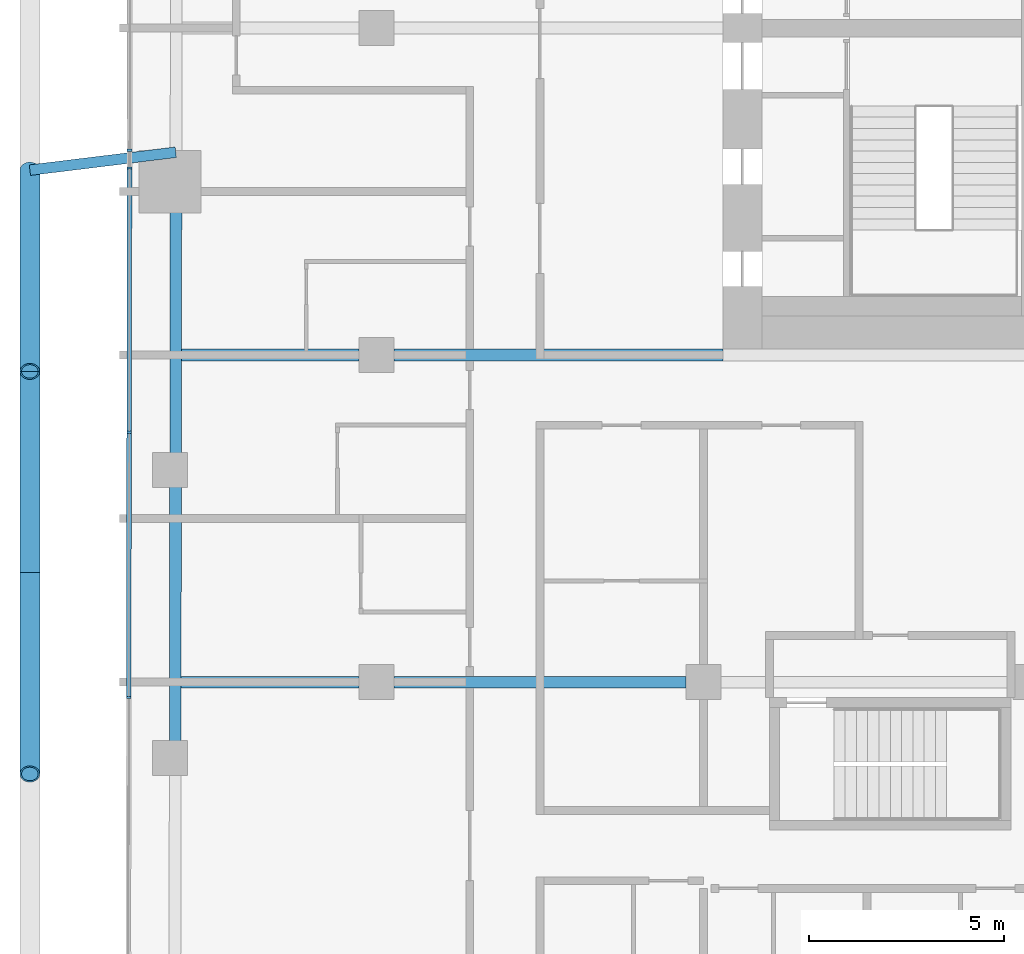
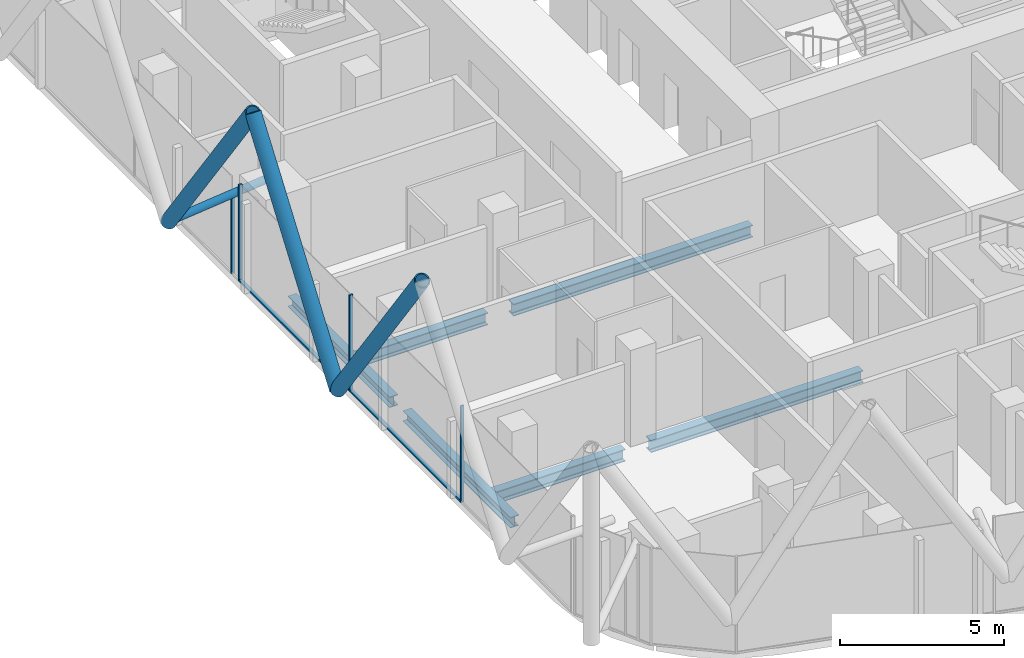
# One storey, part 4 of 36: 10 members, 6 beams, 2 elements without a shape of their own.
"""IFC4 building model written with IfcOpenShell, lengths in metres."""

from ifc_helpers import new_model, si_unit, direction, frame, origin, origin_2d, place, context, subcontext, project, spatial, rectangle, hollow_circle, i_section, extrude, material, layer, layer_set, material_profile, profile_set, type_object, element, aggregate, save


model = new_model("IFC4")

# Units and contexts
model_context = context("Model", 3, precision=1e-05, world=origin(), true_north=direction((0.0, 1.0)))
body_context = subcontext(model_context, "Body", "Model", "MODEL_VIEW")
ifc_project = project(units=[si_unit("LENGTHUNIT", "METRE"), si_unit("AREAUNIT", "SQUARE_METRE"), si_unit("VOLUMEUNIT", "CUBIC_METRE"), si_unit("PLANEANGLEUNIT", "RADIAN"), si_unit("MASSUNIT", "GRAM", prefix="KILO")], contexts=[model_context])

# Site, building, storey
site_placement = place(None, origin())
site = spatial("IfcSite", under=ifc_project, at=site_placement, CompositionType="ELEMENT")
building_placement = place(site_placement, origin())
building = spatial("IfcBuilding", under=site, at=building_placement, Name="Marenta Gate Hotel Tower", CompositionType="ELEMENT")
storey_placement = place(building_placement, frame((0.0, 0.0, 115.699951171875)))
storey = spatial("IfcBuildingStorey", under=building, at=storey_placement, Name="L25", CompositionType="ELEMENT", Elevation=115.699951171875)

# Members
ifc_material_1 = material(Name="Steel S355J2W", Category="steel")
ifc_material_profile_1 = material_profile(ifc_material_1, hollow_circle(Radius=0.25390625, WallThickness=0.0400390625, at=origin_2d()), Name="CHS 508x40")
ifc_profile_set_1 = profile_set([ifc_material_profile_1], Name="Steel S355J2W")
member_type_1 = type_object("IfcMemberType", Name="Diagrid diagonal Z2 CHS 508x40", PredefinedType="BRACE", material=ifc_profile_set_1)
for number, where, z_axis, x_axis, name in (
    (1, (-29.89990234375, -5.590087890625, 3.14013671875), (0.0, -0.583260841117, 0.812284919975), (1.0, 0.0, 0.0), "L25-DG-27"),
    (2, (-29.89990234375, -5.590087890625, 3.14013671875), (0.0, 0.583260841117, 0.812284919975), (-1.0, 0.0, 0.0), "L25-DG-28"),
):
    element("IfcMember", number, at=place(storey_placement, frame(where, z_axis=z_axis, x_axis=x_axis)), inside=storey, type_object=member_type_1, Name=name, PredefinedType="BRACE", context=body_context, shape_type="SweptSolid", body=[
        extrude(hollow_circle(Radius=0.25390625, WallThickness=0.0400390625, at=origin_2d()), origin(), (0.0, 0.0, 1.0), 8.86376953125),
    ])
member_1_placement = place(storey_placement, frame((-29.89990234375, 4.75, 3.14013671875), z_axis=(0.0, -0.583279014058, 0.812271870595), x_axis=(1.0, 0.0, 0.0)))
element("IfcMember", 3, at=member_1_placement, inside=storey, type_object=member_type_1, Name="L25-DG-29", PredefinedType="BRACE", context=body_context, shape_type="SweptSolid", body=[
    extrude(hollow_circle(Radius=0.25390625, WallThickness=0.0400390625, at=origin_2d()), origin(), (0.0, 0.0, 1.0), 8.864013671875),
])

# Beams
ifc_material_2 = material(Name="Steel S355", Category="steel")
ifc_material_profile_2 = material_profile(ifc_material_2, i_section(OverallWidth=0.300048828125, OverallDepth=0.39990234375, WebThickness=0.013427734375, FlangeThickness=0.02392578125, FilletRadius=0.027099609375, at=origin_2d()), Name="HEB 400")
ifc_profile_set_2 = profile_set([ifc_material_profile_2], Name="Steel S355")
beam_type_1 = type_object("IfcBeamType", Name="Edge beam HEB 400", PredefinedType="SPANDREL", material=ifc_profile_set_2)
beam_1_placement = place(storey_placement, frame((-26.167236328125, -9.94189453125, -0.4599609375), z_axis=(0.001372605919, 0.999999057976, 0.0), x_axis=(-0.999999057976, 0.001372605919, 0.0)))
element("IfcBeam", 4, at=beam_1_placement, inside=storey, type_object=beam_type_1, Name="L25-EB-6", PredefinedType="SPANDREL", context=body_context, shape_type="SweptSolid", body=[
    extrude(i_section(OverallWidth=0.300048828125, OverallDepth=0.39990234375, WebThickness=0.013427734375, FlangeThickness=0.02392578125, FilletRadius=0.027099609375, at=origin_2d()), origin(), (0.0, 0.0, 1.0), 6.5810546875),
])
beam_2_placement = place(storey_placement, frame((-26.156982421875, -2.541015625, -0.4599609375), z_axis=(0.001371364591, 0.999999059679, 0.0), x_axis=(-0.999999059679, 0.001371364591, 0.0)))
element("IfcBeam", 5, at=beam_2_placement, inside=storey, type_object=beam_type_1, Name="L25-EB-7", PredefinedType="SPANDREL", context=body_context, shape_type="SweptSolid", body=[
    extrude(i_section(OverallWidth=0.300048828125, OverallDepth=0.39990234375, WebThickness=0.013427734375, FlangeThickness=0.02392578125, FilletRadius=0.027099609375, at=origin_2d()), origin(), (0.0, 0.0, 1.0), 6.23095703125),
])

# Member
ifc_material_3 = material(Name="Steel S355J2W", Category="steel")
ifc_material_profile_3 = material_profile(ifc_material_3, hollow_circle(Radius=0.136474609375, WallThickness=0.012451171875, at=origin_2d()), Name="CHS 273x12.5")
ifc_profile_set_3 = profile_set([ifc_material_profile_3], Name="Steel S355J2W")
member_type_2 = type_object("IfcMemberType", Name="Floor tie CHS 273x12.5", PredefinedType="STRUT", material=ifc_profile_set_3)
member_2_placement = place(storey_placement, frame((-29.89990234375, 4.75, 3.14013671875), z_axis=(0.992572528932, 0.121654325075, 0.0), x_axis=(-0.121654325075, 0.992572528932, 0.0)))
element("IfcMember", 6, at=member_2_placement, inside=storey, type_object=member_type_2, Name="L25-DR-20", PredefinedType="STRUT", context=body_context, shape_type="SweptSolid", body=[
    extrude(hollow_circle(Radius=0.136474609375, WallThickness=0.012451171875, at=origin_2d()), origin(), (0.0, 0.0, 1.0), 3.77490234375),
])

# Beams
ifc_material_4 = material(Name="Steel S355", Category="steel")
ifc_material_profile_4 = material_profile(ifc_material_4, i_section(OverallWidth=0.300048828125, OverallDepth=0.449951171875, WebThickness=0.013916015625, FlangeThickness=0.02587890625, FilletRadius=0.027099609375, at=origin_2d()), Name="HEB 450")
ifc_profile_set_4 = profile_set([ifc_material_profile_4], Name="Steel S355")
beam_type_2 = type_object("IfcBeamType", Name="Girder HEB 450", PredefinedType="BEAM", material=ifc_profile_set_4)
beam_3_placement = place(storey_placement, frame((-26.01513671875, -8.39990234375, -0.48486328125), z_axis=(1.0, 0.0, 0.0), x_axis=(0.0, 1.0, 0.0)))
element("IfcBeam", 7, at=beam_3_placement, inside=storey, type_object=beam_type_2, Name="L25-GD-8", PredefinedType="BEAM", context=body_context, shape_type="SweptSolid", body=[
    extrude(i_section(OverallWidth=0.300048828125, OverallDepth=0.449951171875, WebThickness=0.013916015625, FlangeThickness=0.02587890625, FilletRadius=0.027099609375, at=origin_2d()), origin(), (0.0, 0.0, 1.0), 4.565185546875),
])
beam_4_placement = place(storey_placement, frame((-20.550048828125, -8.39990234375, -0.48486328125), z_axis=(1.0, 0.0, 0.0), x_axis=(0.0, 1.0, 0.0)))
element("IfcBeam", 8, at=beam_4_placement, inside=storey, type_object=beam_type_2, Name="L25-GD-9", PredefinedType="BEAM", context=body_context, shape_type="SweptSolid", body=[
    extrude(i_section(OverallWidth=0.300048828125, OverallDepth=0.449951171875, WebThickness=0.013916015625, FlangeThickness=0.02587890625, FilletRadius=0.027099609375, at=origin_2d()), origin(), (0.0, 0.0, 1.0), 7.5),
])
beam_5_placement = place(storey_placement, frame((-26.003662109375, 0.0, -0.48486328125), z_axis=(1.0, 0.0, 0.0), x_axis=(0.0, 1.0, 0.0)))
element("IfcBeam", 9, at=beam_5_placement, inside=storey, type_object=beam_type_2, Name="L25-GD-15", PredefinedType="BEAM", context=body_context, shape_type="SweptSolid", body=[
    extrude(i_section(OverallWidth=0.300048828125, OverallDepth=0.449951171875, WebThickness=0.013916015625, FlangeThickness=0.02587890625, FilletRadius=0.027099609375, at=origin_2d()), origin(), (0.0, 0.0, 1.0), 4.5537109375),
])
beam_6_placement = place(storey_placement, frame((-20.550048828125, 0.0, -0.48486328125), z_axis=(1.0, 0.0, 0.0), x_axis=(0.0, 1.0, 0.0)))
element("IfcBeam", 10, at=beam_6_placement, inside=storey, type_object=beam_type_2, Name="L25-GD-16", PredefinedType="BEAM", context=body_context, shape_type="SweptSolid", body=[
    extrude(i_section(OverallWidth=0.300048828125, OverallDepth=0.449951171875, WebThickness=0.013916015625, FlangeThickness=0.02587890625, FilletRadius=0.027099609375, at=origin_2d()), origin(), (0.0, 0.0, 1.0), 8.449951171875),
])

# Curtain wall, member
ifc_material_5 = material(Name="Tinted insulated glass in bronze anodised frame", Category="glass")
ifc_layer = layer(ifc_material_5, 0.1201171875)
ifc_layer_set = layer_set([ifc_layer], Name="Tinted insulated glass in bronze anodised frame")
curtain_wall_type = type_object("IfcCurtainWallType", Name="Tower unitised curtain wall CW1", PredefinedType="NOTDEFINED", material=ifc_layer_set)
curtain_wall_1_placement = place(storey_placement, origin())
curtain_wall_1 = element("IfcCurtainWall", 11, at=curtain_wall_1_placement, inside=storey, type_object=curtain_wall_type, Name="CW1 run G07", PredefinedType="NOTDEFINED")
ifc_material_6 = material(Name="Bronze anodised aluminium", Category="aluminium")
ifc_material_profile_5 = material_profile(ifc_material_6, rectangle(XDim=0.1201171875, YDim=0.06005859375, at=origin_2d()), Name="Mullion CW1 60x120 bronze anodised aluminium")
ifc_profile_set_5 = profile_set([ifc_material_profile_5], Name="Bronze anodised aluminium")
member_type_3 = type_object("IfcMemberType", Name="Mullion CW1 60x120 bronze anodised aluminium", PredefinedType="MULLION", material=ifc_profile_set_5)
member_3_placement = place(storey_placement, frame((-27.34033203125, 5.261962890625, 0.0), z_axis=(0.0, 0.0, 1.0), x_axis=(0.999998824335, -0.001533404542, 0.0)))
member_3 = element("IfcMember", 12, at=member_3_placement, type_object=member_type_3, Name="CW1 mullion 1", PredefinedType="MULLION", context=body_context, shape_type="SweptSolid", body=[
    extrude(rectangle(XDim=0.1201171875, YDim=0.06005859375, at=origin_2d()), origin(), (0.0, 0.0, 1.0), 3.00048828125),
])
aggregate(curtain_wall_1, [member_3])

# Curtain wall, members
curtain_wall_2_placement = place(storey_placement, origin())
curtain_wall_2 = element("IfcCurtainWall", 13, at=curtain_wall_2_placement, inside=storey, type_object=curtain_wall_type, Name="CW1 run G08", PredefinedType="NOTDEFINED")
member_4_placement = place(storey_placement, frame((-27.341064453125, 4.805419921875, 0.0), z_axis=(0.0, 0.0, 1.0), x_axis=(0.999998775571, -0.001564882094, 0.0)))
member_4 = element("IfcMember", 14, at=member_4_placement, type_object=member_type_3, Name="CW1 mullion 1", PredefinedType="MULLION", context=body_context, shape_type="SweptSolid", body=[
    extrude(rectangle(XDim=0.1201171875, YDim=0.06005859375, at=origin_2d()), origin(), (0.0, 0.0, 1.0), 3.60009765625),
])
member_5_placement = place(storey_placement, frame((-27.3515625, -1.98095703125, 0.0), z_axis=(0.0, 0.0, 1.0), x_axis=(0.999998775571, -0.001564882094, 0.0)))
member_5 = element("IfcMember", 15, at=member_5_placement, type_object=member_type_3, Name="CW1 mullion 2", PredefinedType="MULLION", context=body_context, shape_type="SweptSolid", body=[
    extrude(rectangle(XDim=0.1201171875, YDim=0.06005859375, at=origin_2d()), origin(), (0.0, 0.0, 1.0), 3.60009765625),
])
member_6_placement = place(storey_placement, frame((-27.3623046875, -8.797119140625, 0.0), z_axis=(0.0, 0.0, 1.0), x_axis=(0.999998775571, -0.001564882094, 0.0)))
member_6 = element("IfcMember", 16, at=member_6_placement, type_object=member_type_3, Name="CW1 mullion 3", PredefinedType="MULLION", context=body_context, shape_type="SweptSolid", body=[
    extrude(rectangle(XDim=0.1201171875, YDim=0.06005859375, at=origin_2d()), origin(), (0.0, 0.0, 1.0), 3.60009765625),
])
ifc_material_7 = material(Name="Bronze anodised aluminium", Category="aluminium")
ifc_material_profile_6 = material_profile(ifc_material_7, rectangle(XDim=0.1201171875, YDim=0.06005859375, at=origin_2d()), Name="Transom CW1 60x120 bronze anodised aluminium")
ifc_profile_set_6 = profile_set([ifc_material_profile_6], Name="Bronze anodised aluminium")
member_type_4 = type_object("IfcMemberType", Name="Transom CW1 60x120 bronze anodised aluminium", PredefinedType="USERDEFINED", material=ifc_profile_set_6)
member_7_placement = place(storey_placement, frame((-27.341064453125, 4.775390625, 0.030029296875), z_axis=(-0.001560739996, -0.999998782045, 0.0), x_axis=(0.999998782045, -0.001560739996, 0.0)))
member_7 = element("IfcMember", 17, at=member_7_placement, type_object=member_type_4, Name="CW1 transom 1.1", ObjectType="TRANSOM", PredefinedType="USERDEFINED", context=body_context, shape_type="SweptSolid", body=[
    extrude(rectangle(XDim=0.1201171875, YDim=0.06005859375, at=origin_2d()), origin(), (0.0, 0.0, 1.0), 6.726318359375),
])
member_8_placement = place(storey_placement, frame((-27.3515625, -2.010986328125, 0.030029296875), z_axis=(-0.001589995461, -0.999998735956, 0.0), x_axis=(0.999998735956, -0.001589995461, 0.0)))
member_8 = element("IfcMember", 18, at=member_8_placement, type_object=member_type_4, Name="CW1 transom 2.1", ObjectType="TRANSOM", PredefinedType="USERDEFINED", context=body_context, shape_type="SweptSolid", body=[
    extrude(rectangle(XDim=0.1201171875, YDim=0.06005859375, at=origin_2d()), origin(), (0.0, 0.0, 1.0), 6.756103515625),
])
aggregate(curtain_wall_2, [member_4, member_5, member_6, member_7, member_8])

save(model, "model.ifc")
